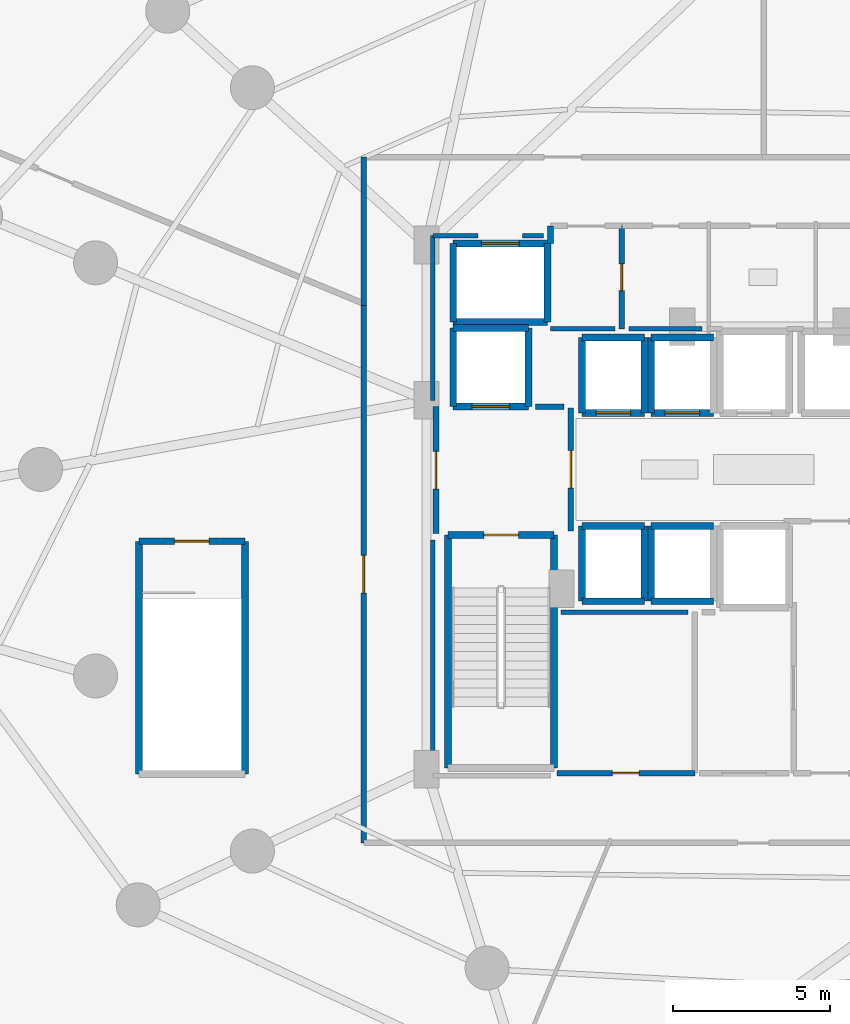
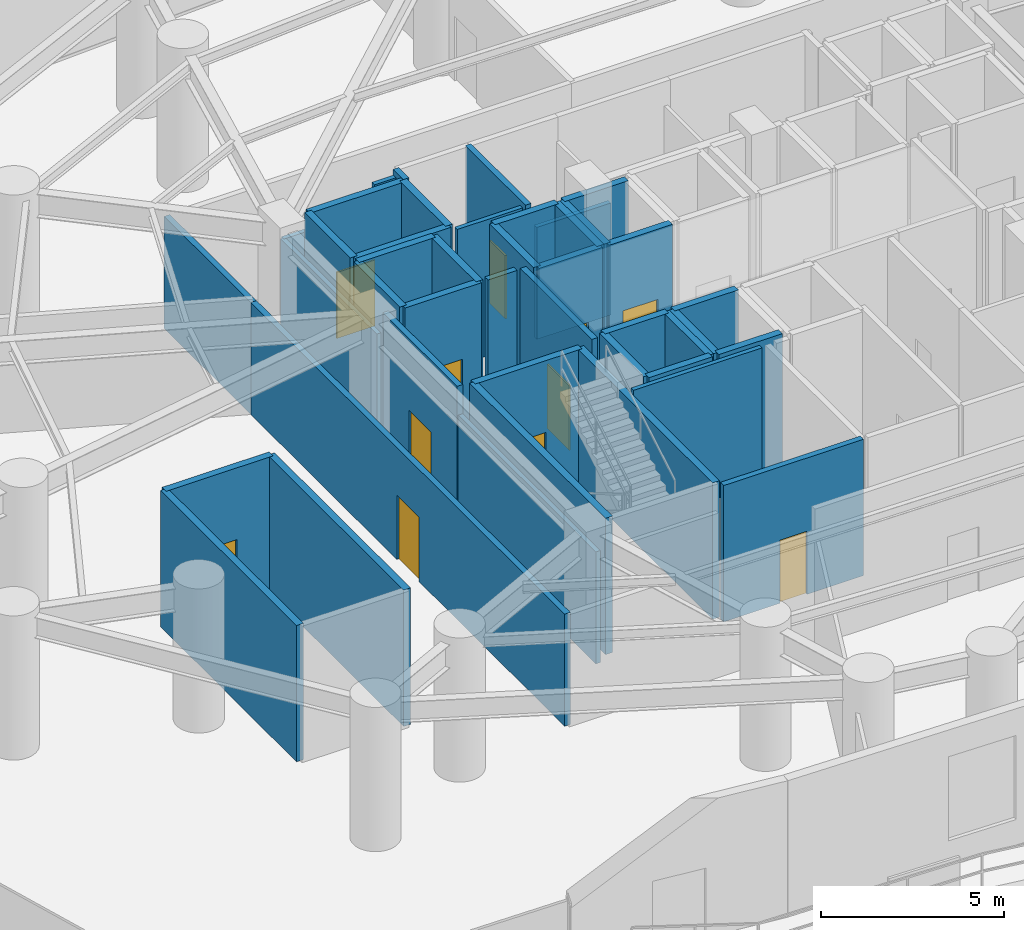
# One storey, part 26 of 32: 43 walls, 11 doors, 11 openings.
"""IFC4 building model written with IfcOpenShell, lengths in metres."""

import ifcopenshell
import ifcopenshell.guid

model = None  # the IFC model being written
_history = None  # IfcOwnerHistory: only IFC2X3 demands one
_inside = {}  # id of a spatial element -> (the spatial element, [elements in it])
_under = {}  # id of a project, library or spatial element -> (it, [spatial elements below it])
_declared = {}  # id of a project -> (the project, [libraries it declares])
_typed = {}  # id of a type object -> (the type object, [elements of that type])
_made_of = {}  # id of a material, layer set ... -> (it, [elements and type objects made of it])


def new_model(schema):
    """Start an empty IFC model of exactly this schema.

    Asked for "IFC4X3", IfcOpenShell would pick the latest addendum, in which some entities
    have other attributes; the version numbers below select the first issue.
    IFC2X3 requires an IfcOwnerHistory on every rooted entity: one is made here for all.
    """
    global model, _history
    if schema == "IFC4X3":
        model = ifcopenshell.file(schema_version=(4, 3, 0, 0))
    else:
        model = ifcopenshell.file(schema=schema)
    _inside.clear()
    _under.clear()
    _declared.clear()
    _typed.clear()
    _made_of.clear()
    _history = None
    if model.schema == "IFC2X3":
        org = make("IfcOrganization", Name="unknown")
        user = make(
            "IfcPersonAndOrganization",
            ThePerson=make("IfcPerson", FamilyName="unknown"),
            TheOrganization=org,
        )
        app = make(
            "IfcApplication",
            ApplicationDeveloper=org,
            Version="unknown",
            ApplicationFullName="unknown",
            ApplicationIdentifier="unknown",
        )
        _history = make(
            "IfcOwnerHistory",
            OwningUser=user,
            OwningApplication=app,
            ChangeAction="ADDED",
            CreationDate=0,
        )
    return model


def make(cls, **values):
    """One entity of the class cls with the attributes given. An attribute that is None is left unset."""
    return model.create_entity(
        cls, **{name: value for name, value in values.items() if value is not None}
    )


def rooted(cls, **values):
    """An entity with a GlobalId (a new one), such as an element, a storey or a relation."""
    return make(cls, GlobalId=ifcopenshell.guid.new(), OwnerHistory=_history, **values)


def si_unit(unit_type, name, prefix=None):
    """IfcSIUnit, for example si_unit("LENGTHUNIT", "METRE", prefix="MILLI")."""
    return make("IfcSIUnit", UnitType=unit_type, Prefix=prefix, Name=name)


def assignment(units):
    """IfcUnitAssignment: the units of a project."""
    return None if units is None else make("IfcUnitAssignment", Units=units)


def point(xyz):
    """IfcCartesianPoint."""
    return None if xyz is None else make("IfcCartesianPoint", Coordinates=xyz)


def direction(xyz):
    """IfcDirection."""
    return None if xyz is None else make("IfcDirection", DirectionRatios=xyz)


def frame(location, z_axis=None, x_axis=None):
    """IfcAxis2Placement3D, a coordinate frame: its origin and axes. An axis left out is left unset."""
    return make(
        "IfcAxis2Placement3D",
        Location=point(location),
        Axis=direction(z_axis),
        RefDirection=direction(x_axis),
    )


def frame_2d(location, x_axis=None):
    """IfcAxis2Placement2D, a coordinate frame in the plane: its origin and x axis."""
    return make(
        "IfcAxis2Placement2D", Location=point(location), RefDirection=direction(x_axis)
    )


def origin():
    """The frame at (0, 0, 0) with its axes left unset."""
    return frame((0.0, 0.0, 0.0))


def place(relative_to, where):
    """IfcLocalPlacement: puts the frame where relative to a parent placement (None: the world)."""
    return make(
        "IfcLocalPlacement", PlacementRelTo=relative_to, RelativePlacement=where
    )


def context(
    kind, dimensions, precision=None, world=None, true_north=None, identifier=None
):
    """IfcGeometricRepresentationContext, for example the 3D "Model" context."""
    return make(
        "IfcGeometricRepresentationContext",
        ContextIdentifier=identifier,
        ContextType=kind,
        CoordinateSpaceDimension=dimensions,
        Precision=precision,
        WorldCoordinateSystem=world,
        TrueNorth=true_north,
    )


def subcontext(parent, identifier, kind, view, scale=None):
    """IfcGeometricRepresentationSubContext, for example "Body" below "Model"."""
    return make(
        "IfcGeometricRepresentationSubContext",
        ContextIdentifier=identifier,
        ContextType=kind,
        ParentContext=parent,
        TargetScale=scale,
        TargetView=view,
    )


def project(units=None, contexts=None):
    """IfcProject with its units and contexts."""
    return rooted(
        "IfcProject",
        Name="project",
        RepresentationContexts=contexts,
        UnitsInContext=assignment(units),
    )


def spatial(cls, under=None, at=None, **own):
    """A site, building, storey or space (cls), placed at a placement, below another one or the project."""
    s = rooted(cls, ObjectPlacement=at, **own)
    if under is not None:
        _under.setdefault(under.id(), (under, []))[1].append(s)
    return s


def profile(cls, at=None, kind="AREA", **sizes):
    """A parametric profile (cls). Its sizes go by their IFC names, for example OverallWidth=200.0."""
    return make(cls, ProfileType=kind, Position=at, **sizes)


def rectangle(**sizes):
    """IfcRectangleProfileDef."""
    return profile("IfcRectangleProfileDef", **sizes)


def extrude(swept, where, along, depth):
    """IfcExtrudedAreaSolid: the profile swept, set in the frame where, extruded along a direction by depth."""
    return make(
        "IfcExtrudedAreaSolid",
        SweptArea=swept,
        Position=where,
        ExtrudedDirection=direction(along),
        Depth=depth,
    )


def shape(context_of_items, identifier, shape_type, items):
    """IfcShapeRepresentation: the items that make up one representation, for example the "Body"."""
    return make(
        "IfcShapeRepresentation",
        ContextOfItems=context_of_items,
        RepresentationIdentifier=identifier,
        RepresentationType=shape_type,
        Items=items,
    )


def material(Name=None, Category=None):
    """IfcMaterial."""
    return make("IfcMaterial", Name=Name, Category=Category)


def layer(
    of_material, thickness, ventilated=None, Name=None, Category=None, Priority=None
):
    """IfcMaterialLayer: one layer of a wall or slab, of a material (None: an air gap)."""
    return make(
        "IfcMaterialLayer",
        Material=of_material,
        LayerThickness=thickness,
        IsVentilated=ventilated,
        Name=Name,
        Category=Category,
        Priority=Priority,
    )


def layer_set(layers, Name=None):
    """IfcMaterialLayerSet."""
    return make("IfcMaterialLayerSet", MaterialLayers=layers, LayerSetName=Name)


def made_of(thing, what):
    """Note that an element or type object is made of a material, layer set ...; save() writes the relation."""
    if what is not None:
        _made_of.setdefault(what.id(), (what, []))[1].append(thing)
    return thing


def type_object(cls, material=None, **own):
    """A type object (cls), such as IfcWallType, which elements share."""
    return made_of(rooted(cls, **own), material)


def element(
    cls,
    number,
    at=None,
    inside=None,
    cuts=None,
    type_object=None,
    material=None,
    context=None,
    identifier="Body",
    shape_type=None,
    held_by="IfcProductDefinitionShape",
    body=None,
    shapes=None,
    **own,
):
    """One element of the class cls, such as IfcWall. Its Tag is "e" and its number.

    at: its placement. inside: the storey or other place that contains it. cuts: it is an
    opening in that element (IfcRelVoidsElement). A single representation is given by context,
    identifier, shape_type and body (its items); several are given by shapes. held_by: the class
    of the entity that holds the representations. save() writes the other relations.
    """
    e = rooted(cls, Tag="e%d" % number, ObjectPlacement=at, **own)
    if body is not None:
        shapes = [shape(context, identifier, shape_type, body)]
    if shapes is not None:
        e.Representation = make(held_by, Representations=shapes)
    if inside is not None:
        _inside.setdefault(inside.id(), (inside, []))[1].append(e)
    if cuts is not None:
        rooted(
            "IfcRelVoidsElement", RelatingBuildingElement=cuts, RelatedOpeningElement=e
        )
    if type_object is not None:
        _typed.setdefault(type_object.id(), (type_object, []))[1].append(e)
    return made_of(e, material)


def fill(opening, filler):
    """IfcRelFillsElement: the door or window that sits in an opening."""
    return rooted(
        "IfcRelFillsElement",
        RelatingOpeningElement=opening,
        RelatedBuildingElement=filler,
    )


def aggregate(whole, parts):
    """IfcRelAggregates: a whole, such as a stair, and the parts it consists of."""
    return rooted("IfcRelAggregates", RelatingObject=whole, RelatedObjects=parts)


def save(model, path):
    """Write the relations noted so far, then the file.

    IfcRelAggregates (storeys below a building ...), IfcRelContainedInSpatialStructure (elements
    in a storey), IfcRelDefinesByType, IfcRelAssociatesMaterial and IfcRelDeclares: one each for
    every whole, place, type object, material and project.
    """
    for whole, parts in _under.values():
        aggregate(whole, parts)
    for where, things in _inside.values():
        rooted(
            "IfcRelContainedInSpatialStructure",
            RelatedElements=things,
            RelatingStructure=where,
        )
    for kind, things in _typed.values():
        rooted("IfcRelDefinesByType", RelatedObjects=things, RelatingType=kind)
    for what, things in _made_of.values():
        rooted("IfcRelAssociatesMaterial", RelatedObjects=things, RelatingMaterial=what)
    for by, libraries in _declared.values():
        rooted("IfcRelDeclares", RelatingContext=by, RelatedDefinitions=libraries)
    model.write(path)


model = new_model("IFC4")

# Units and contexts
model_context = context("Model", 3, precision=1e-05, world=origin(), true_north=direction((0.0, 1.0)))
body_context = subcontext(model_context, "Body", "Model", "MODEL_VIEW")
ifc_project = project(units=[si_unit("LENGTHUNIT", "METRE"), si_unit("AREAUNIT", "SQUARE_METRE"), si_unit("VOLUMEUNIT", "CUBIC_METRE"), si_unit("PLANEANGLEUNIT", "RADIAN"), si_unit("MASSUNIT", "GRAM", prefix="KILO")], contexts=[model_context])

# Site, building, storey
site_placement = place(None, origin())
site = spatial("IfcSite", under=ifc_project, at=site_placement, CompositionType="ELEMENT")
building_placement = place(site_placement, origin())
building = spatial("IfcBuilding", under=site, at=building_placement, Name="Vorneva Point Tower", CompositionType="ELEMENT")
storey_placement = place(building_placement, frame((0.0, 0.0, 19.199951171875)))
storey = spatial("IfcBuildingStorey", under=building, at=storey_placement, Name="L04", CompositionType="ELEMENT", Elevation=19.199951171875)

# Wall, opening, door
ifc_material_1 = material(Name="Concrete B60 (C50/60)", Category="concrete")
ifc_layer_1 = layer(ifc_material_1, 0.5)
ifc_layer_set_1 = layer_set([ifc_layer_1], Name="Concrete B60 (C50/60)")
wall_type_1 = type_object("IfcWallType", Name="WL-CORE-500", PredefinedType="SHEAR", material=ifc_layer_set_1)
wall_1_placement = place(storey_placement, frame((28.10009765625, 28.0, 0.0), z_axis=(0.0, 0.0, 1.0), x_axis=(1.0, 0.0, 0.0)))
wall_1 = element("IfcWall", 1, at=wall_1_placement, inside=storey, type_object=wall_type_1, Name="L04 Lift FFL1 Shaft Wall -Y", PredefinedType="SHEAR", context=body_context, shape_type="SweptSolid", body=[
    extrude(rectangle(XDim=2.39990234375, YDim=0.219970703125, at=frame_2d((1.199951171875, 0.0))), origin(), (0.0, 0.0, 1.0), 4.5400390625),
])
opening_1_placement = place(wall_1_placement, frame((0.60009765625, 0.0, 0.0)))
opening_1 = element("IfcOpeningElement", 2, at=opening_1_placement, cuts=wall_1, Name="Opening LD-02", PredefinedType="OPENING", context=body_context, shape_type="SweptSolid", body=[
    extrude(rectangle(XDim=1.199951171875, YDim=2.199951171875, at=frame_2d((0.60009765625, 1.10009765625))), frame((0.0, 0.125, 0.0), z_axis=(0.0, -1.0, 0.0), x_axis=(1.0, 0.0, 0.0)), (0.0, 0.0, 1.0), 0.249755859375),
])
ifc_material_2 = material(Name="Brushed stainless steel S304", Category="steel")
door_type_1 = type_object("IfcDoorType", Name="LD-FIRE-1200", OperationType="SLIDING_TO_LEFT", PredefinedType="DOOR", material=ifc_material_2)
door_1_placement = place(opening_1_placement, origin())
door_1 = element("IfcDoor", 3, at=door_1_placement, inside=storey, type_object=door_type_1, Name="L04 Lift FFL1 Sliding Landing Door", OperationType="SLIDING_TO_LEFT", OverallHeight=2.199951171875, OverallWidth=1.199951171875, PredefinedType="DOOR", context=body_context, shape_type="SweptSolid", body=[
    extrude(rectangle(XDim=1.199951171875, YDim=2.199951171875, at=frame_2d((0.60009765625, 1.10009765625))), frame((0.0, 0.02490234375, 0.0), z_axis=(0.0, -1.0, 0.0), x_axis=(1.0, 0.0, 0.0)), (0.0, 0.0, 1.0), 0.050048828125),
])
fill(opening_1, door_1)

# Walls
wall_2_placement = place(storey_placement, frame((30.5, 28.0, 0.0), z_axis=(0.0, 0.0, 1.0), x_axis=(0.0, 1.0, 0.0)))
element("IfcWall", 4, at=wall_2_placement, inside=storey, type_object=wall_type_1, Name="L04 Lift FFL1 Shaft Wall +X", PredefinedType="SHEAR", context=body_context, shape_type="SweptSolid", body=[
    extrude(rectangle(XDim=2.5, YDim=0.219970703125, at=frame_2d((1.25, 0.0))), origin(), (0.0, 0.0, 1.0), 4.5400390625),
])
wall_3_placement = place(storey_placement, frame((30.5, 30.5, 0.0), z_axis=(0.0, 0.0, 1.0), x_axis=(-1.0, 0.0, 0.0)))
element("IfcWall", 5, at=wall_3_placement, inside=storey, type_object=wall_type_1, Name="L04 Lift FFL1 Shaft Wall +Y", PredefinedType="SHEAR", context=body_context, shape_type="SweptSolid", body=[
    extrude(rectangle(XDim=2.39990234375, YDim=0.219970703125, at=frame_2d((1.199951171875, 0.0))), origin(), (0.0, 0.0, 1.0), 4.5400390625),
])
wall_4_placement = place(storey_placement, frame((28.10009765625, 30.5, 0.0), z_axis=(0.0, 0.0, 1.0), x_axis=(0.0, -1.0, 0.0)))
element("IfcWall", 6, at=wall_4_placement, inside=storey, type_object=wall_type_1, Name="L04 Lift FFL1 Shaft Wall -X", PredefinedType="SHEAR", context=body_context, shape_type="SweptSolid", body=[
    extrude(rectangle(XDim=2.5, YDim=0.219970703125, at=frame_2d((1.25, 0.0))), origin(), (0.0, 0.0, 1.0), 4.5400390625),
])
ifc_material_3 = material(Name="Fire-rated acoustic gypsum stud partition", Category="gypsum")
ifc_layer_2 = layer(ifc_material_3, 0.139892578125)
ifc_layer_set_2 = layer_set([ifc_layer_2], Name="Fire-rated acoustic gypsum stud partition")
wall_type_2 = type_object("IfcWallType", Name="WL-PART-140", PredefinedType="PARTITIONING", material=ifc_layer_set_2)
wall_5_placement = place(storey_placement, frame((31.199951171875, 30.47998046875, 0.0), z_axis=(0.0, 0.0, 1.0), x_axis=(1.0, 0.0, 0.0)))
element("IfcWall", 7, at=wall_5_placement, inside=storey, type_object=wall_type_2, Name="L04 Interior Closure Partition 045", PredefinedType="PARTITIONING", context=body_context, shape_type="SweptSolid", body=[
    extrude(rectangle(XDim=2.050048828125, YDim=0.139892578125, at=frame_2d((1.02490234375, 0.0))), origin(), (0.0, 0.0, 1.0), 4.5400390625),
])
wall_6_placement = place(storey_placement, frame((33.699951171875, 30.47998046875, 0.0), z_axis=(0.0, 0.0, 1.0), x_axis=(1.0, 0.0, 0.0)))
element("IfcWall", 8, at=wall_6_placement, inside=storey, type_object=wall_type_2, Name="L04 Interior Closure Partition 046", PredefinedType="PARTITIONING", context=body_context, shape_type="SweptSolid", body=[
    extrude(rectangle(XDim=2.330078125, YDim=0.139892578125, at=frame_2d((1.1650390625, 0.0))), origin(), (0.0, 0.0, 1.0), 3.73193359375),
])
wall_7_placement = place(storey_placement, frame((35.580078125, 21.449951171875, 0.0), z_axis=(0.0, 0.0, 1.0), x_axis=(-1.0, 0.0, 0.0)))
element("IfcWall", 9, at=wall_7_placement, inside=storey, type_object=wall_type_2, Name="L04 Interior Closure Partition 051", PredefinedType="PARTITIONING", context=body_context, shape_type="SweptSolid", body=[
    extrude(rectangle(XDim=4.050048828125, YDim=0.139892578125, at=frame_2d((2.02490234375, 0.0))), origin(), (0.0, 0.0, 1.0), 4.5400390625),
])
wall_8_placement = place(storey_placement, frame((27.449951171875, 16.239990234375, 0.0), z_axis=(0.0, 0.0, 1.0), x_axis=(0.0, 1.0, 0.0)))
element("IfcWall", 10, at=wall_8_placement, inside=storey, type_object=wall_type_2, Name="L04 Interior Closure Partition 058", PredefinedType="PARTITIONING", context=body_context, shape_type="SweptSolid", body=[
    extrude(rectangle(XDim=7.513916015625, YDim=0.139892578125, at=frame_2d((3.7568359375, 0.0))), origin(), (0.0, 0.0, 1.0), 3.73193359375),
])
wall_9_placement = place(storey_placement, frame((27.449951171875, 28.196044921875, 0.0), z_axis=(0.0, 0.0, 1.0), x_axis=(0.0, 1.0, 0.0)))
element("IfcWall", 11, at=wall_9_placement, inside=storey, type_object=wall_type_2, Name="L04 Interior Closure Partition 059", PredefinedType="PARTITIONING", context=body_context, shape_type="SweptSolid", body=[
    extrude(rectangle(XDim=5.25390625, YDim=0.139892578125, at=frame_2d((2.626953125, 0.0))), origin(), (0.0, 0.0, 1.0), 3.73193359375),
])
wall_10_placement = place(storey_placement, frame((27.449951171875, 33.449951171875, 0.0), z_axis=(0.0, 0.0, 1.0), x_axis=(1.0, 0.0, 0.0)))
element("IfcWall", 12, at=wall_10_placement, inside=storey, type_object=wall_type_2, Name="L04 Interior Closure Partition 060", PredefinedType="PARTITIONING", context=body_context, shape_type="SweptSolid", body=[
    extrude(rectangle(XDim=1.444091796875, YDim=0.139892578125, at=frame_2d((0.72216796875, 0.0))), origin(), (0.0, 0.0, 1.0), 3.73193359375),
])
wall_11_placement = place(storey_placement, frame((30.305908203125, 33.449951171875, 0.0), z_axis=(0.0, 0.0, 1.0), x_axis=(1.0, 0.0, 0.0)))
element("IfcWall", 13, at=wall_11_placement, inside=storey, type_object=wall_type_2, Name="L04 Interior Closure Partition 061", PredefinedType="PARTITIONING", context=body_context, shape_type="SweptSolid", body=[
    extrude(rectangle(XDim=0.674072265625, YDim=0.139892578125, at=frame_2d((0.3369140625, 0.0))), origin(), (0.0, 0.0, 1.0), 4.5400390625),
])

# Wall, opening, door
ifc_material_4 = material(Name="Autoclaved aerated concrete blockwork", Category="masonry")
ifc_layer_3 = layer(ifc_material_4, 0.179931640625)
ifc_layer_set_3 = layer_set([ifc_layer_3], Name="Autoclaved aerated concrete blockwork")
wall_type_3 = type_object("IfcWallType", Name="WL-PART-180", PredefinedType="PARTITIONING", material=ifc_layer_set_3)
wall_12_placement = place(storey_placement, frame((31.85009765625, 24.044921875, 0.0), z_axis=(0.0, 0.0, 1.0), x_axis=(0.0, 1.0, 0.0)))
wall_12 = element("IfcWall", 14, at=wall_12_placement, inside=storey, type_object=wall_type_3, Name="L04 Interior Partition 001", PredefinedType="PARTITIONING", context=body_context, shape_type="SweptSolid", body=[
    extrude(rectangle(XDim=3.91015625, YDim=0.179931640625, at=frame_2d((1.955078125, 0.0))), origin(), (0.0, 0.0, 1.0), 4.5400390625),
])
opening_2_placement = place(wall_12_placement, frame((1.35498046875, 0.0, 0.0)))
opening_2 = element("IfcOpeningElement", 15, at=opening_2_placement, cuts=wall_12, Name="Opening FD-02", PredefinedType="OPENING", context=body_context, shape_type="SweptSolid", body=[
    extrude(rectangle(XDim=1.199951171875, YDim=2.14990234375, at=frame_2d((0.60009765625, 1.074951171875))), frame((0.0, 0.10498046875, 0.0), z_axis=(0.0, -1.0, 0.0), x_axis=(1.0, 0.0, 0.0)), (0.0, 0.0, 1.0), 0.209716796875),
])
ifc_material_5 = material(Name="Fire-rated powder-coated steel", Category="steel")
door_type_2 = type_object("IfcDoorType", Name="DR-FFL-1200", OperationType="NOTDEFINED", PredefinedType="DOOR", material=ifc_material_5)
door_2_placement = place(opening_2_placement, origin())
door_2 = element("IfcDoor", 16, at=door_2_placement, inside=storey, type_object=door_type_2, Name="L04 Door West Firefighting Lobby / Central Lift Lobby", OperationType="SINGLE_SWING_RIGHT", OverallHeight=2.14990234375, OverallWidth=1.199951171875, PredefinedType="DOOR", context=body_context, shape_type="SweptSolid", body=[
    extrude(rectangle(XDim=1.199951171875, YDim=2.14990234375, at=frame_2d((0.60009765625, 1.074951171875))), frame((0.0, 0.02490234375, 0.0), z_axis=(0.0, -1.0, 0.0), x_axis=(1.0, 0.0, 0.0)), (0.0, 0.0, 1.0), 0.050048828125),
])
fill(opening_2, door_2)

wall_13_placement = place(storey_placement, frame((27.550048828125, 28.0, 0.0), z_axis=(0.0, 0.0, 1.0), x_axis=(0.0, -1.0, 0.0)))
wall_13 = element("IfcWall", 17, at=wall_13_placement, inside=storey, type_object=wall_type_3, Name="L04 Interior Partition 002", PredefinedType="PARTITIONING", context=body_context, shape_type="SweptSolid", body=[
    extrude(rectangle(XDim=4.050048828125, YDim=0.179931640625, at=frame_2d((2.02490234375, 0.0))), origin(), (0.0, 0.0, 1.0), 4.5400390625),
])
opening_3_placement = place(wall_13_placement, frame((1.425048828125, 0.0, 0.0)))
opening_3 = element("IfcOpeningElement", 18, at=opening_3_placement, cuts=wall_13, Name="Opening FD-02", PredefinedType="OPENING", context=body_context, shape_type="SweptSolid", body=[
    extrude(rectangle(XDim=1.199951171875, YDim=2.14990234375, at=frame_2d((0.60009765625, 1.074951171875))), frame((0.0, 0.10498046875, 0.0), z_axis=(0.0, -1.0, 0.0), x_axis=(1.0, 0.0, 0.0)), (0.0, 0.0, 1.0), 0.209716796875),
])
door_3_placement = place(opening_3_placement, origin())
door_3 = element("IfcDoor", 19, at=door_3_placement, inside=storey, type_object=door_type_2, Name="L04 Door West Firefighting Lobby / L04 Circulation Corridor", OperationType="SINGLE_SWING_RIGHT", OverallHeight=2.14990234375, OverallWidth=1.199951171875, PredefinedType="DOOR", context=body_context, shape_type="SweptSolid", body=[
    extrude(rectangle(XDim=1.199951171875, YDim=2.14990234375, at=frame_2d((0.60009765625, 1.074951171875))), frame((0.0, 0.02490234375, 0.0), z_axis=(0.0, -1.0, 0.0), x_axis=(1.0, 0.0, 0.0)), (0.0, 0.0, 1.0), 0.050048828125),
])
fill(opening_3, door_3)

wall_14_placement = place(storey_placement, frame((33.469970703125, 30.47998046875, 0.0), z_axis=(0.0, 0.0, 1.0), x_axis=(0.0, 1.0, 0.0)))
wall_14 = element("IfcWall", 20, at=wall_14_placement, inside=storey, type_object=wall_type_3, Name="L04 Interior Partition 006", PredefinedType="PARTITIONING", context=body_context, shape_type="SweptSolid", body=[
    extrude(rectangle(XDim=3.280029296875, YDim=0.179931640625, at=frame_2d((1.64013671875, 0.0))), origin(), (0.0, 0.0, 1.0), 4.5400390625),
])
opening_4_placement = place(wall_14_placement, frame((1.215087890625, 0.0, 0.0)))
opening_4 = element("IfcOpeningElement", 21, at=opening_4_placement, cuts=wall_14, Name="Opening ID-02", PredefinedType="OPENING", context=body_context, shape_type="SweptSolid", body=[
    extrude(rectangle(XDim=0.85009765625, YDim=2.10009765625, at=frame_2d((0.425048828125, 1.050048828125))), frame((0.0, 0.10498046875, 0.0), z_axis=(0.0, -1.0, 0.0), x_axis=(1.0, 0.0, 0.0)), (0.0, 0.0, 1.0), 0.209716796875),
])
ifc_material_6 = material(Name="Engineered oak fire-rated door leaf", Category="wood")
door_type_3 = type_object("IfcDoorType", Name="DR-BATH-850", OperationType="NOTDEFINED", PredefinedType="DOOR", material=ifc_material_6)
door_4_placement = place(opening_4_placement, origin())
door_4 = element("IfcDoor", 22, at=door_4_placement, inside=storey, type_object=door_type_3, Name="L04 Door Service Lift Lobby / Core Supply Store", OperationType="SINGLE_SWING_RIGHT", OverallHeight=2.10009765625, OverallWidth=0.85009765625, PredefinedType="DOOR", context=body_context, shape_type="SweptSolid", body=[
    extrude(rectangle(XDim=0.85009765625, YDim=2.10009765625, at=frame_2d((0.425048828125, 1.050048828125))), frame((0.0, 0.02490234375, 0.0), z_axis=(0.0, -1.0, 0.0), x_axis=(1.0, 0.0, 0.0)), (0.0, 0.0, 1.0), 0.050048828125),
])
fill(opening_4, door_4)

# Wall
wall_15_placement = place(storey_placement, frame((31.199951171875, 33.760009765625, 0.0), z_axis=(0.0, 0.0, 1.0), x_axis=(0.0, -1.0, 0.0)))
element("IfcWall", 23, at=wall_15_placement, inside=storey, type_object=wall_type_3, Name="L04 Interior Partition 008", PredefinedType="PARTITIONING", context=body_context, shape_type="SweptSolid", body=[
    extrude(rectangle(XDim=0.56005859375, YDim=0.179931640625, at=frame_2d((0.280029296875, 0.0))), origin(), (0.0, 0.0, 1.0), 4.5400390625),
])

# Wall, opening, door
wall_16_placement = place(storey_placement, frame((31.39990234375, 16.320068359375, 0.0), z_axis=(0.0, 0.0, 1.0), x_axis=(1.0, 0.0, 0.0)))
wall_16 = element("IfcWall", 24, at=wall_16_placement, inside=storey, type_object=wall_type_3, Name="L04 Interior Partition 024", PredefinedType="PARTITIONING", context=body_context, shape_type="SweptSolid", body=[
    extrude(rectangle(XDim=4.400146484375, YDim=0.179931640625, at=frame_2d((2.2001953125, 0.0))), origin(), (0.0, 0.0, 1.0), 4.5400390625),
])
opening_5_placement = place(wall_16_placement, frame((1.77490234375, 0.0, 0.0)))
opening_5 = element("IfcOpeningElement", 25, at=opening_5_placement, cuts=wall_16, Name="Opening ID-02", PredefinedType="OPENING", context=body_context, shape_type="SweptSolid", body=[
    extrude(rectangle(XDim=0.85009765625, YDim=2.10009765625, at=frame_2d((0.425048828125, 1.050048828125))), frame((0.0, 0.10498046875, 0.0), z_axis=(0.0, -1.0, 0.0), x_axis=(1.0, 0.0, 0.0)), (0.0, 0.0, 1.0), 0.209716796875),
])
door_5_placement = place(opening_5_placement, origin())
door_5 = element("IfcDoor", 26, at=door_5_placement, inside=storey, type_object=door_type_3, Name="L04 Door Bicycle Gear Store / L04 Circulation Corridor", OperationType="SINGLE_SWING_RIGHT", OverallHeight=2.10009765625, OverallWidth=0.85009765625, PredefinedType="DOOR", context=body_context, shape_type="SweptSolid", body=[
    extrude(rectangle(XDim=0.85009765625, YDim=2.10009765625, at=frame_2d((0.425048828125, 1.050048828125))), frame((0.0, 0.02490234375, 0.0), z_axis=(0.0, -1.0, 0.0), x_axis=(1.0, 0.0, 0.0)), (0.0, 0.0, 1.0), 0.050048828125),
])
fill(opening_5, door_5)

# Wall
wall_17_placement = place(storey_placement, frame((25.25, 35.949951171875, 0.0), z_axis=(0.0, 0.0, 1.0), x_axis=(0.0, -1.0, 0.0)))
element("IfcWall", 27, at=wall_17_placement, inside=storey, type_object=wall_type_3, Name="L04 Interior Partition 029", PredefinedType="PARTITIONING", context=body_context, shape_type="SweptSolid", body=[
    extrude(rectangle(XDim=4.72900390625, YDim=0.179931640625, at=frame_2d((2.364501953125, 0.0))), origin(), (0.0, 0.0, 1.0), 3.73193359375),
])

# Wall, opening, door
wall_18_placement = place(storey_placement, frame((25.25, 31.220947265625, 0.0), z_axis=(0.0, 0.0, 1.0), x_axis=(0.0, -1.0, 0.0)))
wall_18 = element("IfcWall", 28, at=wall_18_placement, inside=storey, type_object=wall_type_3, Name="L04 Interior Partition 030", PredefinedType="PARTITIONING", context=body_context, shape_type="SweptSolid", body=[
    extrude(rectangle(XDim=17.120849609375, YDim=0.179931640625, at=frame_2d((8.560546875, 0.0))), origin(), (0.0, 0.0, 1.0), 3.73193359375),
])
opening_6_placement = place(wall_18_placement, frame((7.96044921875, 0.0, 0.0)))
opening_6 = element("IfcOpeningElement", 29, at=opening_6_placement, cuts=wall_18, Name="Opening FD-02", PredefinedType="OPENING", context=body_context, shape_type="SweptSolid", body=[
    extrude(rectangle(XDim=1.199951171875, YDim=2.14990234375, at=frame_2d((0.60009765625, 1.074951171875))), frame((0.0, 0.10498046875, 0.0), z_axis=(0.0, -1.0, 0.0), x_axis=(1.0, 0.0, 0.0)), (0.0, 0.0, 1.0), 0.209716796875),
])
door_6_placement = place(opening_6_placement, origin())
door_6 = element("IfcDoor", 30, at=door_6_placement, inside=storey, type_object=door_type_2, Name="L04 Door L04 Circulation Corridor / Conference Hall L04", OperationType="SINGLE_SWING_RIGHT", OverallHeight=2.14990234375, OverallWidth=1.199951171875, PredefinedType="DOOR", context=body_context, shape_type="SweptSolid", body=[
    extrude(rectangle(XDim=1.199951171875, YDim=2.14990234375, at=frame_2d((0.60009765625, 1.074951171875))), frame((0.0, 0.02490234375, 0.0), z_axis=(0.0, -1.0, 0.0), x_axis=(1.0, 0.0, 0.0)), (0.0, 0.0, 1.0), 0.050048828125),
])
fill(opening_6, door_6)

# Wall
wall_19_placement = place(storey_placement, frame((31.635009765625, 28.0, 0.0), z_axis=(0.0, 0.0, 1.0), x_axis=(-1.0, 0.0, 0.0)))
element("IfcWall", 31, at=wall_19_placement, inside=storey, type_object=wall_type_3, Name="L04 Interior Closure Partition 043", PredefinedType="PARTITIONING", context=body_context, shape_type="SweptSolid", body=[
    extrude(rectangle(XDim=0.9150390625, YDim=0.179931640625, at=frame_2d((0.45751953125, 0.0))), origin(), (0.0, 0.0, 1.0), 4.5400390625),
])

# Wall, opening, door
ifc_material_7 = material(Name="Concrete B50 (C40/50)", Category="concrete")
ifc_layer_4 = layer(ifc_material_7, 0.219970703125)
ifc_layer_set_4 = layer_set([ifc_layer_4], Name="Concrete B50 (C40/50)")
wall_type_4 = type_object("IfcWallType", Name="WL-SHFT-220", PredefinedType="SOLIDWALL", material=ifc_layer_set_4)
wall_20_placement = place(storey_placement, frame((27.93994140625, 23.909912109375, 0.0), z_axis=(0.0, 0.0, 1.0), x_axis=(1.0, 0.0, 0.0)))
wall_20 = element("IfcWall", 32, at=wall_20_placement, inside=storey, type_object=wall_type_4, Name="L04 Exit Stair ST1 Shaft Wall near", PredefinedType="SOLIDWALL", context=body_context, shape_type="SweptSolid", body=[
    extrude(rectangle(XDim=3.3701171875, YDim=0.219970703125, at=frame_2d((1.68505859375, 0.0))), origin(), (0.0, 0.0, 1.0), 4.5400390625),
])
opening_7_placement = place(wall_20_placement, frame((1.135009765625, 0.0, 0.0)))
opening_7 = element("IfcOpeningElement", 33, at=opening_7_placement, cuts=wall_20, Name="Opening FD-01", PredefinedType="OPENING", context=body_context, shape_type="SweptSolid", body=[
    extrude(rectangle(XDim=1.10009765625, YDim=2.14990234375, at=frame_2d((0.550048828125, 1.074951171875))), frame((0.0, 0.125, 0.0), z_axis=(0.0, -1.0, 0.0), x_axis=(1.0, 0.0, 0.0)), (0.0, 0.0, 1.0), 0.249755859375),
])
door_type_4 = type_object("IfcDoorType", Name="DR-STAIR-1100", OperationType="NOTDEFINED", PredefinedType="DOOR", material=ifc_material_5)
door_7_placement = place(opening_7_placement, origin())
door_7 = element("IfcDoor", 34, at=door_7_placement, inside=storey, type_object=door_type_4, Name="L04 Exit Stair ST1 Fire Door", OperationType="SINGLE_SWING_RIGHT", OverallHeight=2.14990234375, OverallWidth=1.10009765625, PredefinedType="DOOR", context=body_context, shape_type="SweptSolid", body=[
    extrude(rectangle(XDim=1.10009765625, YDim=2.14990234375, at=frame_2d((0.550048828125, 1.074951171875))), frame((0.0, 0.02490234375, 0.0), z_axis=(0.0, -1.0, 0.0), x_axis=(1.0, 0.0, 0.0)), (0.0, 0.0, 1.0), 0.050048828125),
])
fill(opening_7, door_7)

# Walls
for number, where, z_axis, x_axis, name in (
    (35, (31.31005859375, 23.909912109375, 0.0), (0.0, 0.0, 1.0), (0.0, -1.0, 0.0), "L04 Exit Stair ST1 Shaft Wall right"),
    (36, (27.93994140625, 16.489990234375, 0.0), (0.0, 0.0, 1.0), (0.0, 1.0, 0.0), "L04 Exit Stair ST1 Shaft Wall left"),
):
    element("IfcWall", number, at=place(storey_placement, frame(where, z_axis=z_axis, x_axis=x_axis)), inside=storey, type_object=wall_type_4, Name=name, PredefinedType="SOLIDWALL", context=body_context, shape_type="SweptSolid", body=[
        extrude(rectangle(XDim=7.419921875, YDim=0.219970703125, at=frame_2d((3.7099609375, 0.0))), origin(), (0.0, 0.0, 1.0), 4.5400390625),
    ])

# Wall, opening, door
wall_21_placement = place(storey_placement, frame((18.090087890625, 23.7099609375, 0.0), z_axis=(0.0, 0.0, 1.0), x_axis=(1.0, 0.0, 0.0)))
wall_21 = element("IfcWall", 37, at=wall_21_placement, inside=storey, type_object=wall_type_4, Name="L04 Exit Stair ST3 Shaft Wall near", PredefinedType="SOLIDWALL", context=body_context, shape_type="SweptSolid", body=[
    extrude(rectangle(XDim=3.369873046875, YDim=0.219970703125, at=frame_2d((1.68505859375, 0.0))), origin(), (0.0, 0.0, 1.0), 4.5400390625),
])
opening_8_placement = place(wall_21_placement, frame((1.135009765625, 0.0, 0.0)))
opening_8 = element("IfcOpeningElement", 38, at=opening_8_placement, cuts=wall_21, Name="Opening FD-01", PredefinedType="OPENING", context=body_context, shape_type="SweptSolid", body=[
    extrude(rectangle(XDim=1.10009765625, YDim=2.14990234375, at=frame_2d((0.550048828125, 1.074951171875))), frame((0.0, 0.125, 0.0), z_axis=(0.0, -1.0, 0.0), x_axis=(1.0, 0.0, 0.0)), (0.0, 0.0, 1.0), 0.249755859375),
])
door_8_placement = place(opening_8_placement, origin())
door_8 = element("IfcDoor", 39, at=door_8_placement, inside=storey, type_object=door_type_4, Name="L04 Exit Stair ST3 Fire Door", OperationType="SINGLE_SWING_RIGHT", OverallHeight=2.14990234375, OverallWidth=1.10009765625, PredefinedType="DOOR", context=body_context, shape_type="SweptSolid", body=[
    extrude(rectangle(XDim=1.10009765625, YDim=2.14990234375, at=frame_2d((0.550048828125, 1.074951171875))), frame((0.0, 0.02490234375, 0.0), z_axis=(0.0, -1.0, 0.0), x_axis=(1.0, 0.0, 0.0)), (0.0, 0.0, 1.0), 0.050048828125),
])
fill(opening_8, door_8)

# Walls
for number, where, z_axis, x_axis, name in (
    (40, (21.4599609375, 23.7099609375, 0.0), (0.0, 0.0, 1.0), (0.0, -1.0, 0.0), "L04 Exit Stair ST3 Shaft Wall right"),
    (41, (18.090087890625, 16.2900390625, 0.0), (0.0, 0.0, 1.0), (0.0, 1.0, 0.0), "L04 Exit Stair ST3 Shaft Wall left"),
):
    element("IfcWall", number, at=place(storey_placement, frame(where, z_axis=z_axis, x_axis=x_axis)), inside=storey, type_object=wall_type_4, Name=name, PredefinedType="SOLIDWALL", context=body_context, shape_type="SweptSolid", body=[
        extrude(rectangle(XDim=7.419921875, YDim=0.219970703125, at=frame_2d((3.7099609375, 0.0))), origin(), (0.0, 0.0, 1.0), 4.5400390625),
    ])

# Wall, opening, door
wall_22_placement = place(storey_placement, frame((32.199951171875, 27.800048828125, 0.0), z_axis=(0.0, 0.0, 1.0), x_axis=(1.0, 0.0, 0.0)))
wall_22 = element("IfcWall", 42, at=wall_22_placement, inside=storey, type_object=wall_type_4, Name="L04 Lift PL1 Shaft Wall -Y", PredefinedType="SOLIDWALL", context=body_context, shape_type="SweptSolid", body=[
    extrude(rectangle(XDim=2.0, YDim=0.219970703125, at=frame_2d((1.0, 0.0))), origin(), (0.0, 0.0, 1.0), 4.5400390625),
])
opening_9_placement = place(wall_22_placement, frame((0.449951171875, 0.0, 0.0)))
opening_9 = element("IfcOpeningElement", 43, at=opening_9_placement, cuts=wall_22, Name="Opening LD-01", PredefinedType="OPENING", context=body_context, shape_type="SweptSolid", body=[
    extrude(rectangle(XDim=1.10009765625, YDim=2.199951171875, at=frame_2d((0.550048828125, 1.10009765625))), frame((0.0, 0.125, 0.0), z_axis=(0.0, -1.0, 0.0), x_axis=(1.0, 0.0, 0.0)), (0.0, 0.0, 1.0), 0.249755859375),
])
door_type_5 = type_object("IfcDoorType", Name="LD-PASS-1100", OperationType="SLIDING_TO_LEFT", PredefinedType="DOOR", material=ifc_material_2)
door_9_placement = place(opening_9_placement, origin())
door_9 = element("IfcDoor", 44, at=door_9_placement, inside=storey, type_object=door_type_5, Name="L04 Lift PL1 Sliding Landing Door", OperationType="SLIDING_TO_LEFT", OverallHeight=2.199951171875, OverallWidth=1.10009765625, PredefinedType="DOOR", context=body_context, shape_type="SweptSolid", body=[
    extrude(rectangle(XDim=1.10009765625, YDim=2.199951171875, at=frame_2d((0.550048828125, 1.10009765625))), frame((0.0, 0.02490234375, 0.0), z_axis=(0.0, -1.0, 0.0), x_axis=(1.0, 0.0, 0.0)), (0.0, 0.0, 1.0), 0.050048828125),
])
fill(opening_9, door_9)

# Walls
wall_23_placement = place(storey_placement, frame((34.199951171875, 27.800048828125, 0.0), z_axis=(0.0, 0.0, 1.0), x_axis=(0.0, 1.0, 0.0)))
element("IfcWall", 45, at=wall_23_placement, inside=storey, type_object=wall_type_4, Name="L04 Lift PL1 Shaft Wall +X", PredefinedType="SOLIDWALL", context=body_context, shape_type="SweptSolid", body=[
    extrude(rectangle(XDim=2.39990234375, YDim=0.219970703125, at=frame_2d((1.199951171875, 0.0))), origin(), (0.0, 0.0, 1.0), 4.5400390625),
])
wall_24_placement = place(storey_placement, frame((34.199951171875, 30.199951171875, 0.0), z_axis=(0.0, 0.0, 1.0), x_axis=(-1.0, 0.0, 0.0)))
element("IfcWall", 46, at=wall_24_placement, inside=storey, type_object=wall_type_4, Name="L04 Lift PL1 Shaft Wall +Y", PredefinedType="SOLIDWALL", context=body_context, shape_type="SweptSolid", body=[
    extrude(rectangle(XDim=2.0, YDim=0.219970703125, at=frame_2d((1.0, 0.0))), origin(), (0.0, 0.0, 1.0), 4.5400390625),
])
wall_25_placement = place(storey_placement, frame((32.199951171875, 30.199951171875, 0.0), z_axis=(0.0, 0.0, 1.0), x_axis=(0.0, -1.0, 0.0)))
element("IfcWall", 47, at=wall_25_placement, inside=storey, type_object=wall_type_4, Name="L04 Lift PL1 Shaft Wall -X", PredefinedType="SOLIDWALL", context=body_context, shape_type="SweptSolid", body=[
    extrude(rectangle(XDim=2.39990234375, YDim=0.219970703125, at=frame_2d((1.199951171875, 0.0))), origin(), (0.0, 0.0, 1.0), 4.5400390625),
])

# Wall, opening, door
wall_26_placement = place(storey_placement, frame((34.39990234375, 27.800048828125, 0.0), z_axis=(0.0, 0.0, 1.0), x_axis=(1.0, 0.0, 0.0)))
wall_26 = element("IfcWall", 48, at=wall_26_placement, inside=storey, type_object=wall_type_4, Name="L04 Lift PL2 Shaft Wall -Y", PredefinedType="SOLIDWALL", context=body_context, shape_type="SweptSolid", body=[
    extrude(rectangle(XDim=2.0, YDim=0.219970703125, at=frame_2d((1.0, 0.0))), origin(), (0.0, 0.0, 1.0), 4.5400390625),
])
opening_10_placement = place(wall_26_placement, frame((0.449951171875, 0.0, 0.0)))
opening_10 = element("IfcOpeningElement", 49, at=opening_10_placement, cuts=wall_26, Name="Opening LD-01", PredefinedType="OPENING", context=body_context, shape_type="SweptSolid", body=[
    extrude(rectangle(XDim=1.10009765625, YDim=2.199951171875, at=frame_2d((0.550048828125, 1.10009765625))), frame((0.0, 0.125, 0.0), z_axis=(0.0, -1.0, 0.0), x_axis=(1.0, 0.0, 0.0)), (0.0, 0.0, 1.0), 0.249755859375),
])
door_10_placement = place(opening_10_placement, origin())
door_10 = element("IfcDoor", 50, at=door_10_placement, inside=storey, type_object=door_type_5, Name="L04 Lift PL2 Sliding Landing Door", OperationType="SLIDING_TO_LEFT", OverallHeight=2.199951171875, OverallWidth=1.10009765625, PredefinedType="DOOR", context=body_context, shape_type="SweptSolid", body=[
    extrude(rectangle(XDim=1.10009765625, YDim=2.199951171875, at=frame_2d((0.550048828125, 1.10009765625))), frame((0.0, 0.02490234375, 0.0), z_axis=(0.0, -1.0, 0.0), x_axis=(1.0, 0.0, 0.0)), (0.0, 0.0, 1.0), 0.050048828125),
])
fill(opening_10, door_10)

# Walls
wall_27_placement = place(storey_placement, frame((36.39990234375, 30.199951171875, 0.0), z_axis=(0.0, 0.0, 1.0), x_axis=(-1.0, 0.0, 0.0)))
element("IfcWall", 51, at=wall_27_placement, inside=storey, type_object=wall_type_4, Name="L04 Lift PL2 Shaft Wall +Y", PredefinedType="SOLIDWALL", context=body_context, shape_type="SweptSolid", body=[
    extrude(rectangle(XDim=2.0, YDim=0.219970703125, at=frame_2d((1.0, 0.0))), origin(), (0.0, 0.0, 1.0), 4.5400390625),
])
wall_28_placement = place(storey_placement, frame((34.39990234375, 30.199951171875, 0.0), z_axis=(0.0, 0.0, 1.0), x_axis=(0.0, -1.0, 0.0)))
element("IfcWall", 52, at=wall_28_placement, inside=storey, type_object=wall_type_4, Name="L04 Lift PL2 Shaft Wall -X", PredefinedType="SOLIDWALL", context=body_context, shape_type="SweptSolid", body=[
    extrude(rectangle(XDim=2.39990234375, YDim=0.219970703125, at=frame_2d((1.199951171875, 0.0))), origin(), (0.0, 0.0, 1.0), 4.5400390625),
])
wall_29_placement = place(storey_placement, frame((32.199951171875, 21.800048828125, 0.0), z_axis=(0.0, 0.0, 1.0), x_axis=(1.0, 0.0, 0.0)))
element("IfcWall", 53, at=wall_29_placement, inside=storey, type_object=wall_type_4, Name="L04 Lift PL4 Shaft Wall -Y", PredefinedType="SOLIDWALL", context=body_context, shape_type="SweptSolid", body=[
    extrude(rectangle(XDim=2.0, YDim=0.219970703125, at=frame_2d((1.0, 0.0))), origin(), (0.0, 0.0, 1.0), 4.5400390625),
])
wall_30_placement = place(storey_placement, frame((34.199951171875, 21.800048828125, 0.0), z_axis=(0.0, 0.0, 1.0), x_axis=(0.0, 1.0, 0.0)))
element("IfcWall", 54, at=wall_30_placement, inside=storey, type_object=wall_type_4, Name="L04 Lift PL4 Shaft Wall +X", PredefinedType="SOLIDWALL", context=body_context, shape_type="SweptSolid", body=[
    extrude(rectangle(XDim=2.39990234375, YDim=0.219970703125, at=frame_2d((1.199951171875, 0.0))), origin(), (0.0, 0.0, 1.0), 4.5400390625),
])
wall_31_placement = place(storey_placement, frame((34.199951171875, 24.199951171875, 0.0), z_axis=(0.0, 0.0, 1.0), x_axis=(-1.0, 0.0, 0.0)))
element("IfcWall", 55, at=wall_31_placement, inside=storey, type_object=wall_type_4, Name="L04 Lift PL4 Shaft Wall +Y", PredefinedType="SOLIDWALL", context=body_context, shape_type="SweptSolid", body=[
    extrude(rectangle(XDim=2.0, YDim=0.219970703125, at=frame_2d((1.0, 0.0))), origin(), (0.0, 0.0, 1.0), 4.5400390625),
])
wall_32_placement = place(storey_placement, frame((32.199951171875, 24.199951171875, 0.0), z_axis=(0.0, 0.0, 1.0), x_axis=(0.0, -1.0, 0.0)))
element("IfcWall", 56, at=wall_32_placement, inside=storey, type_object=wall_type_4, Name="L04 Lift PL4 Shaft Wall -X", PredefinedType="SOLIDWALL", context=body_context, shape_type="SweptSolid", body=[
    extrude(rectangle(XDim=2.39990234375, YDim=0.219970703125, at=frame_2d((1.199951171875, 0.0))), origin(), (0.0, 0.0, 1.0), 4.5400390625),
])
for number, where, z_axis, x_axis, name in (
    (57, (34.39990234375, 21.800048828125, 0.0), (0.0, 0.0, 1.0), (1.0, 0.0, 0.0), "L04 Lift PL5 Shaft Wall -Y"),
    (58, (36.39990234375, 24.199951171875, 0.0), (0.0, 0.0, 1.0), (-1.0, 0.0, 0.0), "L04 Lift PL5 Shaft Wall +Y"),
):
    element("IfcWall", number, at=place(storey_placement, frame(where, z_axis=z_axis, x_axis=x_axis)), inside=storey, type_object=wall_type_4, Name=name, PredefinedType="SOLIDWALL", context=body_context, shape_type="SweptSolid", body=[
        extrude(rectangle(XDim=2.0, YDim=0.219970703125, at=frame_2d((1.0, 0.0))), origin(), (0.0, 0.0, 1.0), 4.5400390625),
    ])
wall_33_placement = place(storey_placement, frame((34.39990234375, 24.199951171875, 0.0), z_axis=(0.0, 0.0, 1.0), x_axis=(0.0, -1.0, 0.0)))
element("IfcWall", 59, at=wall_33_placement, inside=storey, type_object=wall_type_4, Name="L04 Lift PL5 Shaft Wall -X", PredefinedType="SOLIDWALL", context=body_context, shape_type="SweptSolid", body=[
    extrude(rectangle(XDim=2.39990234375, YDim=0.219970703125, at=frame_2d((1.199951171875, 0.0))), origin(), (0.0, 0.0, 1.0), 4.5400390625),
])
wall_34_placement = place(storey_placement, frame((28.10009765625, 30.699951171875, 0.0), z_axis=(0.0, 0.0, 1.0), x_axis=(1.0, 0.0, 0.0)))
element("IfcWall", 60, at=wall_34_placement, inside=storey, type_object=wall_type_4, Name="L04 Lift SVL1 Shaft Wall -Y", PredefinedType="SOLIDWALL", context=body_context, shape_type="SweptSolid", body=[
    extrude(rectangle(XDim=3.0, YDim=0.219970703125, at=frame_2d((1.5, 0.0))), origin(), (0.0, 0.0, 1.0), 4.5400390625),
])
wall_35_placement = place(storey_placement, frame((31.10009765625, 30.699951171875, 0.0), z_axis=(0.0, 0.0, 1.0), x_axis=(0.0, 1.0, 0.0)))
element("IfcWall", 61, at=wall_35_placement, inside=storey, type_object=wall_type_4, Name="L04 Lift SVL1 Shaft Wall +X", PredefinedType="SOLIDWALL", context=body_context, shape_type="SweptSolid", body=[
    extrude(rectangle(XDim=2.5, YDim=0.219970703125, at=frame_2d((1.25, 0.0))), origin(), (0.0, 0.0, 1.0), 4.5400390625),
])

# Wall, opening, door
wall_36_placement = place(storey_placement, frame((31.10009765625, 33.199951171875, 0.0), z_axis=(0.0, 0.0, 1.0), x_axis=(-1.0, 0.0, 0.0)))
wall_36 = element("IfcWall", 62, at=wall_36_placement, inside=storey, type_object=wall_type_4, Name="L04 Lift SVL1 Shaft Wall +Y", PredefinedType="SOLIDWALL", context=body_context, shape_type="SweptSolid", body=[
    extrude(rectangle(XDim=3.0, YDim=0.219970703125, at=frame_2d((1.5, 0.0))), origin(), (0.0, 0.0, 1.0), 4.5400390625),
])
opening_11_placement = place(wall_36_placement, frame((0.89990234375, 0.0, 0.0)))
opening_11 = element("IfcOpeningElement", 63, at=opening_11_placement, cuts=wall_36, Name="Opening LD-02", PredefinedType="OPENING", context=body_context, shape_type="SweptSolid", body=[
    extrude(rectangle(XDim=1.199951171875, YDim=2.199951171875, at=frame_2d((0.60009765625, 1.10009765625))), frame((0.0, 0.125, 0.0), z_axis=(0.0, -1.0, 0.0), x_axis=(1.0, 0.0, 0.0)), (0.0, 0.0, 1.0), 0.249755859375),
])
door_11_placement = place(opening_11_placement, origin())
door_11 = element("IfcDoor", 64, at=door_11_placement, inside=storey, type_object=door_type_1, Name="L04 Lift SVL1 Sliding Landing Door", OperationType="SLIDING_TO_LEFT", OverallHeight=2.199951171875, OverallWidth=1.199951171875, PredefinedType="DOOR", context=body_context, shape_type="SweptSolid", body=[
    extrude(rectangle(XDim=1.199951171875, YDim=2.199951171875, at=frame_2d((0.60009765625, 1.10009765625))), frame((0.0, 0.02490234375, 0.0), z_axis=(0.0, -1.0, 0.0), x_axis=(1.0, 0.0, 0.0)), (0.0, 0.0, 1.0), 0.050048828125),
])
fill(opening_11, door_11)

# Wall
wall_37_placement = place(storey_placement, frame((28.10009765625, 33.199951171875, 0.0), z_axis=(0.0, 0.0, 1.0), x_axis=(0.0, -1.0, 0.0)))
element("IfcWall", 65, at=wall_37_placement, inside=storey, type_object=wall_type_4, Name="L04 Lift SVL1 Shaft Wall -X", PredefinedType="SOLIDWALL", context=body_context, shape_type="SweptSolid", body=[
    extrude(rectangle(XDim=2.5, YDim=0.219970703125, at=frame_2d((1.25, 0.0))), origin(), (0.0, 0.0, 1.0), 4.5400390625),
])

save(model, "model.ifc")
